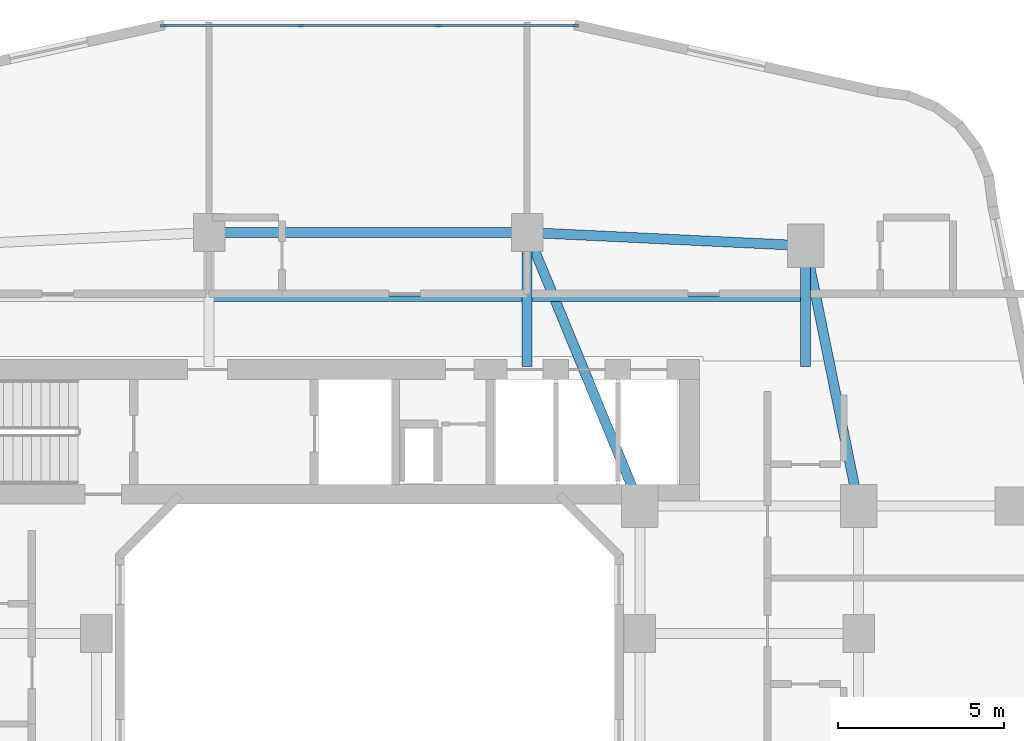
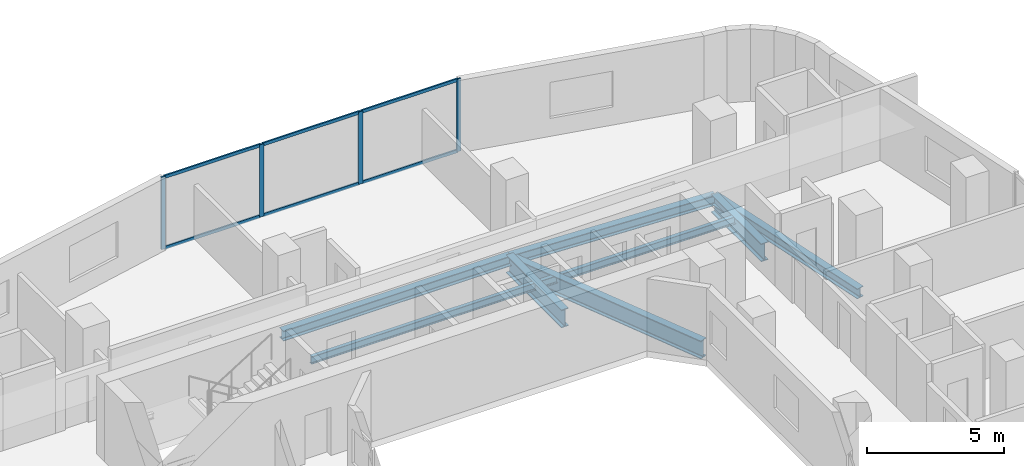
# One storey, part 7 of 27: 10 members, 8 beams, 1 element without a shape of its own.
"""IFC4 building model written with IfcOpenShell, lengths in metres."""

import ifcopenshell
import ifcopenshell.guid

model = None  # the IFC model being written
_history = None  # IfcOwnerHistory: only IFC2X3 demands one
_inside = {}  # id of a spatial element -> (the spatial element, [elements in it])
_under = {}  # id of a project, library or spatial element -> (it, [spatial elements below it])
_declared = {}  # id of a project -> (the project, [libraries it declares])
_typed = {}  # id of a type object -> (the type object, [elements of that type])
_made_of = {}  # id of a material, layer set ... -> (it, [elements and type objects made of it])


def new_model(schema):
    """Start an empty IFC model of exactly this schema.

    Asked for "IFC4X3", IfcOpenShell would pick the latest addendum, in which some entities
    have other attributes; the version numbers below select the first issue.
    IFC2X3 requires an IfcOwnerHistory on every rooted entity: one is made here for all.
    """
    global model, _history
    if schema == "IFC4X3":
        model = ifcopenshell.file(schema_version=(4, 3, 0, 0))
    else:
        model = ifcopenshell.file(schema=schema)
    _inside.clear()
    _under.clear()
    _declared.clear()
    _typed.clear()
    _made_of.clear()
    _history = None
    if model.schema == "IFC2X3":
        org = make("IfcOrganization", Name="unknown")
        user = make(
            "IfcPersonAndOrganization",
            ThePerson=make("IfcPerson", FamilyName="unknown"),
            TheOrganization=org,
        )
        app = make(
            "IfcApplication",
            ApplicationDeveloper=org,
            Version="unknown",
            ApplicationFullName="unknown",
            ApplicationIdentifier="unknown",
        )
        _history = make(
            "IfcOwnerHistory",
            OwningUser=user,
            OwningApplication=app,
            ChangeAction="ADDED",
            CreationDate=0,
        )
    return model


def make(cls, **values):
    """One entity of the class cls with the attributes given. An attribute that is None is left unset."""
    return model.create_entity(
        cls, **{name: value for name, value in values.items() if value is not None}
    )


def rooted(cls, **values):
    """An entity with a GlobalId (a new one), such as an element, a storey or a relation."""
    return make(cls, GlobalId=ifcopenshell.guid.new(), OwnerHistory=_history, **values)


def si_unit(unit_type, name, prefix=None):
    """IfcSIUnit, for example si_unit("LENGTHUNIT", "METRE", prefix="MILLI")."""
    return make("IfcSIUnit", UnitType=unit_type, Prefix=prefix, Name=name)


def derived_unit(unit_type, elements):
    """IfcDerivedUnit: a product of units, each with its exponent."""
    return make(
        "IfcDerivedUnit",
        Elements=[
            make("IfcDerivedUnitElement", Unit=unit, Exponent=power)
            for unit, power in elements
        ],
        UnitType=unit_type,
    )


def assignment(units):
    """IfcUnitAssignment: the units of a project."""
    return None if units is None else make("IfcUnitAssignment", Units=units)


def point(xyz):
    """IfcCartesianPoint."""
    return None if xyz is None else make("IfcCartesianPoint", Coordinates=xyz)


def direction(xyz):
    """IfcDirection."""
    return None if xyz is None else make("IfcDirection", DirectionRatios=xyz)


def frame(location, z_axis=None, x_axis=None):
    """IfcAxis2Placement3D, a coordinate frame: its origin and axes. An axis left out is left unset."""
    return make(
        "IfcAxis2Placement3D",
        Location=point(location),
        Axis=direction(z_axis),
        RefDirection=direction(x_axis),
    )


def frame_2d(location, x_axis=None):
    """IfcAxis2Placement2D, a coordinate frame in the plane: its origin and x axis."""
    return make(
        "IfcAxis2Placement2D", Location=point(location), RefDirection=direction(x_axis)
    )


def origin():
    """The frame at (0, 0, 0) with its axes left unset."""
    return frame((0.0, 0.0, 0.0))


def origin_2d():
    """The frame at (0, 0) in the plane with its x axis left unset."""
    return frame_2d((0.0, 0.0))


def place(relative_to, where):
    """IfcLocalPlacement: puts the frame where relative to a parent placement (None: the world)."""
    return make(
        "IfcLocalPlacement", PlacementRelTo=relative_to, RelativePlacement=where
    )


def context(
    kind, dimensions, precision=None, world=None, true_north=None, identifier=None
):
    """IfcGeometricRepresentationContext, for example the 3D "Model" context."""
    return make(
        "IfcGeometricRepresentationContext",
        ContextIdentifier=identifier,
        ContextType=kind,
        CoordinateSpaceDimension=dimensions,
        Precision=precision,
        WorldCoordinateSystem=world,
        TrueNorth=true_north,
    )


def subcontext(parent, identifier, kind, view, scale=None):
    """IfcGeometricRepresentationSubContext, for example "Body" below "Model"."""
    return make(
        "IfcGeometricRepresentationSubContext",
        ContextIdentifier=identifier,
        ContextType=kind,
        ParentContext=parent,
        TargetScale=scale,
        TargetView=view,
    )


def project(units=None, contexts=None):
    """IfcProject with its units and contexts."""
    return rooted(
        "IfcProject",
        Name="project",
        RepresentationContexts=contexts,
        UnitsInContext=assignment(units),
    )


def spatial(cls, under=None, at=None, **own):
    """A site, building, storey or space (cls), placed at a placement, below another one or the project."""
    s = rooted(cls, ObjectPlacement=at, **own)
    if under is not None:
        _under.setdefault(under.id(), (under, []))[1].append(s)
    return s


def profile(cls, at=None, kind="AREA", **sizes):
    """A parametric profile (cls). Its sizes go by their IFC names, for example OverallWidth=200.0."""
    return make(cls, ProfileType=kind, Position=at, **sizes)


def rectangle(**sizes):
    """IfcRectangleProfileDef."""
    return profile("IfcRectangleProfileDef", **sizes)


def i_section(**sizes):
    """IfcIShapeProfileDef."""
    return profile("IfcIShapeProfileDef", **sizes)


def extrude(swept, where, along, depth):
    """IfcExtrudedAreaSolid: the profile swept, set in the frame where, extruded along a direction by depth."""
    return make(
        "IfcExtrudedAreaSolid",
        SweptArea=swept,
        Position=where,
        ExtrudedDirection=direction(along),
        Depth=depth,
    )


def shape(context_of_items, identifier, shape_type, items):
    """IfcShapeRepresentation: the items that make up one representation, for example the "Body"."""
    return make(
        "IfcShapeRepresentation",
        ContextOfItems=context_of_items,
        RepresentationIdentifier=identifier,
        RepresentationType=shape_type,
        Items=items,
    )


def material(Name=None, Category=None):
    """IfcMaterial."""
    return make("IfcMaterial", Name=Name, Category=Category)


def layer(
    of_material, thickness, ventilated=None, Name=None, Category=None, Priority=None
):
    """IfcMaterialLayer: one layer of a wall or slab, of a material (None: an air gap)."""
    return make(
        "IfcMaterialLayer",
        Material=of_material,
        LayerThickness=thickness,
        IsVentilated=ventilated,
        Name=Name,
        Category=Category,
        Priority=Priority,
    )


def layer_set(layers, Name=None):
    """IfcMaterialLayerSet."""
    return make("IfcMaterialLayerSet", MaterialLayers=layers, LayerSetName=Name)


def material_profile(
    of_material, cross_section, Name=None, Category=None, Priority=None
):
    """IfcMaterialProfile: a cross section and its material."""
    return make(
        "IfcMaterialProfile",
        Name=Name,
        Material=of_material,
        Profile=cross_section,
        Priority=Priority,
        Category=Category,
    )


def profile_set(profiles, Name=None, composite=None):
    """IfcMaterialProfileSet."""
    return make(
        "IfcMaterialProfileSet",
        Name=Name,
        MaterialProfiles=profiles,
        CompositeProfile=composite,
    )


def made_of(thing, what):
    """Note that an element or type object is made of a material, layer set ...; save() writes the relation."""
    if what is not None:
        _made_of.setdefault(what.id(), (what, []))[1].append(thing)
    return thing


def type_object(cls, material=None, **own):
    """A type object (cls), such as IfcWallType, which elements share."""
    return made_of(rooted(cls, **own), material)


def element(
    cls,
    number,
    at=None,
    inside=None,
    cuts=None,
    type_object=None,
    material=None,
    context=None,
    identifier="Body",
    shape_type=None,
    held_by="IfcProductDefinitionShape",
    body=None,
    shapes=None,
    **own,
):
    """One element of the class cls, such as IfcWall. Its Tag is "e" and its number.

    at: its placement. inside: the storey or other place that contains it. cuts: it is an
    opening in that element (IfcRelVoidsElement). A single representation is given by context,
    identifier, shape_type and body (its items); several are given by shapes. held_by: the class
    of the entity that holds the representations. save() writes the other relations.
    """
    e = rooted(cls, Tag="e%d" % number, ObjectPlacement=at, **own)
    if body is not None:
        shapes = [shape(context, identifier, shape_type, body)]
    if shapes is not None:
        e.Representation = make(held_by, Representations=shapes)
    if inside is not None:
        _inside.setdefault(inside.id(), (inside, []))[1].append(e)
    if cuts is not None:
        rooted(
            "IfcRelVoidsElement", RelatingBuildingElement=cuts, RelatedOpeningElement=e
        )
    if type_object is not None:
        _typed.setdefault(type_object.id(), (type_object, []))[1].append(e)
    return made_of(e, material)


def aggregate(whole, parts):
    """IfcRelAggregates: a whole, such as a stair, and the parts it consists of."""
    return rooted("IfcRelAggregates", RelatingObject=whole, RelatedObjects=parts)


def save(model, path):
    """Write the relations noted so far, then the file.

    IfcRelAggregates (storeys below a building ...), IfcRelContainedInSpatialStructure (elements
    in a storey), IfcRelDefinesByType, IfcRelAssociatesMaterial and IfcRelDeclares: one each for
    every whole, place, type object, material and project.
    """
    for whole, parts in _under.values():
        aggregate(whole, parts)
    for where, things in _inside.values():
        rooted(
            "IfcRelContainedInSpatialStructure",
            RelatedElements=things,
            RelatingStructure=where,
        )
    for kind, things in _typed.values():
        rooted("IfcRelDefinesByType", RelatedObjects=things, RelatingType=kind)
    for what, things in _made_of.values():
        rooted("IfcRelAssociatesMaterial", RelatedObjects=things, RelatingMaterial=what)
    for by, libraries in _declared.values():
        rooted("IfcRelDeclares", RelatingContext=by, RelatedDefinitions=libraries)
    model.write(path)


model = new_model("IFC4")

# Units and contexts
model_context = context("Model", 3, precision=1e-05, world=origin(), true_north=direction((0.0, 1.0)))
body_context = subcontext(model_context, "Body", "Model", "MODEL_VIEW")
ifc_project = project(units=[si_unit("LENGTHUNIT", "METRE"), si_unit("AREAUNIT", "SQUARE_METRE"), si_unit("VOLUMEUNIT", "CUBIC_METRE"), si_unit("PLANEANGLEUNIT", "RADIAN"), si_unit("MASSUNIT", "GRAM", prefix="KILO"), derived_unit("THERMALTRANSMITTANCEUNIT", [(si_unit("POWERUNIT", "WATT"), 1), (si_unit("LENGTHUNIT", "METRE"), -2), (si_unit("THERMODYNAMICTEMPERATUREUNIT", "KELVIN"), -1)])], contexts=[model_context])

# Site, building, storey
site_placement = place(None, origin())
site = spatial("IfcSite", under=ifc_project, at=site_placement, CompositionType="ELEMENT")
building_placement = place(site_placement, origin())
building = spatial("IfcBuilding", under=site, at=building_placement, Name="Kivonza Crest Hotel", CompositionType="ELEMENT")
storey_placement = place(building_placement, frame((0.0, 0.0, 41.5)))
storey = spatial("IfcBuildingStorey", under=building, at=storey_placement, Name="L10", CompositionType="ELEMENT", Elevation=41.5)

# Beams
ifc_material_1 = material(Name="Steel S355", Category="steel")
ifc_material_profile_1 = material_profile(ifc_material_1, i_section(OverallWidth=0.300048828125, OverallDepth=0.449951171875, WebThickness=0.013916015625, FlangeThickness=0.02587890625, FilletRadius=0.027099609375, at=origin_2d()), Name="HEB 450")
ifc_profile_set_1 = profile_set([ifc_material_profile_1], Name="Steel S355")
beam_type_1 = type_object("IfcBeamType", Name="BM-HEB450", PredefinedType="SPANDREL", material=ifc_profile_set_1)
beam_1_placement = place(storey_placement, frame((35.800048828125, 32.35009765625, -0.5048828125), z_axis=(-0.199730733965, 0.979850822273, 0.0), x_axis=(-0.979850822273, -0.199730733965, 0.0)))
element("IfcBeam", 1, at=beam_1_placement, inside=storey, type_object=beam_type_1, Name="Tower T1 L10 perimeter spandrel PNE-NE", PredefinedType="SPANDREL", context=body_context, shape_type="SweptSolid", body=[
    extrude(i_section(OverallWidth=0.300048828125, OverallDepth=0.449951171875, WebThickness=0.013916015625, FlangeThickness=0.02587890625, FilletRadius=0.027099609375, at=origin_2d()), origin(), (0.0, 0.0, 1.0), 8.01123046875),
])
beam_2_placement = place(storey_placement, frame((34.199951171875, 40.199951171875, -0.5048828125), z_axis=(-0.998867283688, 0.047583080799, 0.0), x_axis=(-0.047583080799, -0.998867283688, 0.0)))
element("IfcBeam", 2, at=beam_2_placement, inside=storey, type_object=beam_type_1, Name="Tower T1 L10 perimeter spandrel NE-N2", PredefinedType="SPANDREL", context=body_context, shape_type="SweptSolid", body=[
    extrude(i_section(OverallWidth=0.300048828125, OverallDepth=0.449951171875, WebThickness=0.013916015625, FlangeThickness=0.02587890625, FilletRadius=0.027099609375, at=origin_2d()), origin(), (0.0, 0.0, 1.0), 8.409423828125),
])
beam_3_placement = place(storey_placement, frame((25.800048828125, 40.60009765625, -0.5048828125), z_axis=(-1.0, 0.0, 0.0), x_axis=(0.0, -1.0, 0.0)))
element("IfcBeam", 3, at=beam_3_placement, inside=storey, type_object=beam_type_1, Name="Tower T1 L10 perimeter spandrel N2-N1", PredefinedType="SPANDREL", context=body_context, shape_type="SweptSolid", body=[
    extrude(i_section(OverallWidth=0.300048828125, OverallDepth=0.449951171875, WebThickness=0.013916015625, FlangeThickness=0.02587890625, FilletRadius=0.027099609375, at=origin_2d()), origin(), (0.0, 0.0, 1.0), 9.60009765625),
])
ifc_material_profile_2 = material_profile(ifc_material_1, i_section(OverallWidth=0.300048828125, OverallDepth=0.800048828125, WebThickness=0.017578125, FlangeThickness=0.032958984375, FilletRadius=0.030029296875, at=origin_2d()), Name="HEB 800")
ifc_profile_set_2 = profile_set([ifc_material_profile_2], Name="Steel S355")
beam_type_2 = type_object("IfcBeamType", Name="BM-HEB800", PredefinedType="BEAM", material=ifc_profile_set_2)
beam_4_placement = place(storey_placement, frame((25.800048828125, 40.60009765625, -0.679931640625), z_axis=(0.381022260404, -0.924565864109, 0.0), x_axis=(0.924565864109, 0.381022260404, 0.0)))
element("IfcBeam", 4, at=beam_4_placement, inside=storey, type_object=beam_type_2, Name="Tower T1 L10 primary girder N1-TNE", PredefinedType="BEAM", context=body_context, shape_type="SweptSolid", body=[
    extrude(i_section(OverallWidth=0.300048828125, OverallDepth=0.800048828125, WebThickness=0.017578125, FlangeThickness=0.032958984375, FilletRadius=0.030029296875, at=origin_2d()), origin(), (0.0, 0.0, 1.0), 8.923095703125),
])
beam_5_placement = place(storey_placement, frame((25.800048828125, 40.60009765625, -0.679931640625), z_axis=(0.0, -1.0, 0.0), x_axis=(1.0, 0.0, 0.0)))
element("IfcBeam", 5, at=beam_5_placement, inside=storey, type_object=beam_type_2, Name="Tower T1 L10 radial core girder RN2", PredefinedType="BEAM", context=body_context, shape_type="SweptSolid", body=[
    extrude(i_section(OverallWidth=0.300048828125, OverallDepth=0.800048828125, WebThickness=0.017578125, FlangeThickness=0.032958984375, FilletRadius=0.030029296875, at=origin_2d()), origin(), (0.0, 0.0, 1.0), 4.050048828125),
])
beam_6_placement = place(storey_placement, frame((34.199951171875, 40.199951171875, -0.679931640625), z_axis=(0.0, -1.0, 0.0), x_axis=(1.0, 0.0, 0.0)))
element("IfcBeam", 6, at=beam_6_placement, inside=storey, type_object=beam_type_2, Name="Tower T1 L10 radial core girder RNE", PredefinedType="BEAM", context=body_context, shape_type="SweptSolid", body=[
    extrude(i_section(OverallWidth=0.300048828125, OverallDepth=0.800048828125, WebThickness=0.017578125, FlangeThickness=0.032958984375, FilletRadius=0.030029296875, at=origin_2d()), origin(), (0.0, 0.0, 1.0), 3.64990234375),
])
ifc_material_profile_3 = material_profile(ifc_material_1, i_section(OverallWidth=0.159912109375, OverallDepth=0.330078125, WebThickness=0.007568359375, FlangeThickness=0.011474609375, FilletRadius=0.01806640625, at=origin_2d()), Name="IPE 330")
ifc_profile_set_3 = profile_set([ifc_material_profile_3], Name="Steel S355")
beam_type_3 = type_object("IfcBeamType", Name="BM-IPE330", PredefinedType="JOIST", material=ifc_profile_set_3)
beam_7_placement = place(storey_placement, frame((16.280029296875, 38.60009765625, -0.445068359375), z_axis=(1.0, 0.0, 0.0), x_axis=(0.0, 1.0, 0.0)))
element("IfcBeam", 7, at=beam_7_placement, inside=storey, type_object=beam_type_3, Name="Tower T1 L10 North-Mid floor joist", PredefinedType="JOIST", context=body_context, shape_type="SweptSolid", body=[
    extrude(i_section(OverallWidth=0.159912109375, OverallDepth=0.330078125, WebThickness=0.007568359375, FlangeThickness=0.011474609375, FilletRadius=0.01806640625, at=origin_2d()), origin(), (0.0, 0.0, 1.0), 9.43994140625),
])
beam_8_placement = place(storey_placement, frame((25.8798828125, 38.60009765625, -0.445068359375), z_axis=(1.0, 0.0, 0.0), x_axis=(0.0, 1.0, 0.0)))
element("IfcBeam", 8, at=beam_8_placement, inside=storey, type_object=beam_type_3, Name="Tower T1 L10 North-East floor joist", PredefinedType="JOIST", context=body_context, shape_type="SweptSolid", body=[
    extrude(i_section(OverallWidth=0.159912109375, OverallDepth=0.330078125, WebThickness=0.007568359375, FlangeThickness=0.011474609375, FilletRadius=0.01806640625, at=origin_2d()), origin(), (0.0, 0.0, 1.0), 8.240234375),
])

# Curtain wall, members
ifc_material_2 = material(Name="Anodised bronze aluminium and low-E double glazing", Category="aluminium")
ifc_layer = layer(ifc_material_2, 0.179931640625)
ifc_layer_set = layer_set([ifc_layer], Name="Anodised bronze aluminium and low-E double glazing")
curtain_wall_type = type_object("IfcCurtainWallType", Name="CW-SYS-2", PredefinedType="NOTDEFINED", material=ifc_layer_set)
curtain_wall_placement = place(storey_placement, origin())
curtain_wall = element("IfcCurtainWall", 9, at=curtain_wall_placement, inside=storey, type_object=curtain_wall_type, Name="L10 unitised curtain wall CW-T1-L10-26", PredefinedType="NOTDEFINED")
ifc_material_3 = material(Name="Anodised bronze aluminium", Category="aluminium")
ifc_material_profile_4 = material_profile(ifc_material_3, rectangle(XDim=0.06494140625, YDim=0.179931640625, at=origin_2d()), Name="CW-M 65x180")
ifc_profile_set_4 = profile_set([ifc_material_profile_4], Name="Anodised bronze aluminium")
member_type_1 = type_object("IfcMemberType", Name="CW-MUL-65x180", PredefinedType="MULLION", material=ifc_profile_set_4)
member_1_placement = place(storey_placement, frame((27.255615234375, 46.840087890625, 0.0), z_axis=(0.0, 0.0, 1.0), x_axis=(0.0, -1.0, 0.0)))
member_1 = element("IfcMember", 10, at=member_1_placement, type_object=member_type_1, Name="CW-2 mullion 1", PredefinedType="MULLION", context=body_context, shape_type="SweptSolid", body=[
    extrude(rectangle(XDim=0.06494140625, YDim=0.179931640625, at=origin_2d()), origin(), (0.0, 0.0, 1.0), 3.219970703125),
])
member_2_placement = place(storey_placement, frame((23.12255859375, 46.840087890625, 0.0), z_axis=(0.0, 0.0, 1.0), x_axis=(0.0, -1.0, 0.0)))
member_2 = element("IfcMember", 11, at=member_2_placement, type_object=member_type_1, Name="CW-2 mullion 2", PredefinedType="MULLION", context=body_context, shape_type="SweptSolid", body=[
    extrude(rectangle(XDim=0.06494140625, YDim=0.179931640625, at=origin_2d()), origin(), (0.0, 0.0, 1.0), 3.219970703125),
])
member_3_placement = place(storey_placement, frame((18.957275390625, 46.840087890625, 0.0), z_axis=(0.0, 0.0, 1.0), x_axis=(0.0, -1.0, 0.0)))
member_3 = element("IfcMember", 12, at=member_3_placement, type_object=member_type_1, Name="CW-2 mullion 3", PredefinedType="MULLION", context=body_context, shape_type="SweptSolid", body=[
    extrude(rectangle(XDim=0.06494140625, YDim=0.179931640625, at=origin_2d()), origin(), (0.0, 0.0, 1.0), 3.219970703125),
])
member_4_placement = place(storey_placement, frame((14.824462890625, 46.840087890625, 0.0), z_axis=(0.0, 0.0, 1.0), x_axis=(0.0, -1.0, 0.0)))
member_4 = element("IfcMember", 13, at=member_4_placement, type_object=member_type_1, Name="CW-2 mullion 4", PredefinedType="MULLION", context=body_context, shape_type="SweptSolid", body=[
    extrude(rectangle(XDim=0.06494140625, YDim=0.179931640625, at=origin_2d()), origin(), (0.0, 0.0, 1.0), 3.219970703125),
])
ifc_material_profile_5 = material_profile(ifc_material_3, rectangle(XDim=0.06494140625, YDim=0.139892578125, at=origin_2d()), Name="CW-T 65x140")
ifc_profile_set_5 = profile_set([ifc_material_profile_5], Name="Anodised bronze aluminium")
member_type_2 = type_object("IfcMemberType", Name="CW-TRN-65x140", PredefinedType="USERDEFINED", material=ifc_profile_set_5)
member_5_placement = place(storey_placement, frame((27.222900390625, 46.840087890625, 0.032470703125), z_axis=(-1.0, 0.0, 0.0), x_axis=(0.0, -1.0, 0.0)))
member_5 = element("IfcMember", 14, at=member_5_placement, type_object=member_type_2, Name="CW-2 transom 1.1", ObjectType="TRANSOM", PredefinedType="USERDEFINED", context=body_context, shape_type="SweptSolid", body=[
    extrude(rectangle(XDim=0.06494140625, YDim=0.139892578125, at=origin_2d()), origin(), (0.0, 0.0, 1.0), 4.067626953125),
])
member_6_placement = place(storey_placement, frame((27.222900390625, 46.840087890625, 3.1875), z_axis=(-1.0, 0.0, 0.0), x_axis=(0.0, -1.0, 0.0)))
member_6 = element("IfcMember", 15, at=member_6_placement, type_object=member_type_2, Name="CW-2 transom 1.2", ObjectType="TRANSOM", PredefinedType="USERDEFINED", context=body_context, shape_type="SweptSolid", body=[
    extrude(rectangle(XDim=0.06494140625, YDim=0.139892578125, at=origin_2d()), origin(), (0.0, 0.0, 1.0), 4.067626953125),
])
member_7_placement = place(storey_placement, frame((23.090087890625, 46.840087890625, 0.032470703125), z_axis=(-1.0, 0.0, 0.0), x_axis=(0.0, -1.0, 0.0)))
member_7 = element("IfcMember", 16, at=member_7_placement, type_object=member_type_2, Name="CW-2 transom 2.1", ObjectType="TRANSOM", PredefinedType="USERDEFINED", context=body_context, shape_type="SweptSolid", body=[
    extrude(rectangle(XDim=0.06494140625, YDim=0.139892578125, at=origin_2d()), origin(), (0.0, 0.0, 1.0), 4.100341796875),
])
member_8_placement = place(storey_placement, frame((23.090087890625, 46.840087890625, 3.1875), z_axis=(-1.0, 0.0, 0.0), x_axis=(0.0, -1.0, 0.0)))
member_8 = element("IfcMember", 17, at=member_8_placement, type_object=member_type_2, Name="CW-2 transom 2.2", ObjectType="TRANSOM", PredefinedType="USERDEFINED", context=body_context, shape_type="SweptSolid", body=[
    extrude(rectangle(XDim=0.06494140625, YDim=0.139892578125, at=origin_2d()), origin(), (0.0, 0.0, 1.0), 4.100341796875),
])
member_9_placement = place(storey_placement, frame((18.9248046875, 46.840087890625, 0.032470703125), z_axis=(-1.0, 0.0, 0.0), x_axis=(0.0, -1.0, 0.0)))
member_9 = element("IfcMember", 18, at=member_9_placement, type_object=member_type_2, Name="CW-2 transom 3.1", ObjectType="TRANSOM", PredefinedType="USERDEFINED", context=body_context, shape_type="SweptSolid", body=[
    extrude(rectangle(XDim=0.06494140625, YDim=0.139892578125, at=origin_2d()), origin(), (0.0, 0.0, 1.0), 4.06787109375),
])
member_10_placement = place(storey_placement, frame((18.9248046875, 46.840087890625, 3.1875), z_axis=(-1.0, 0.0, 0.0), x_axis=(0.0, -1.0, 0.0)))
member_10 = element("IfcMember", 19, at=member_10_placement, type_object=member_type_2, Name="CW-2 transom 3.2", ObjectType="TRANSOM", PredefinedType="USERDEFINED", context=body_context, shape_type="SweptSolid", body=[
    extrude(rectangle(XDim=0.06494140625, YDim=0.139892578125, at=origin_2d()), origin(), (0.0, 0.0, 1.0), 4.06787109375),
])
aggregate(curtain_wall, [member_1, member_2, member_3, member_4, member_5, member_6, member_7, member_8, member_9, member_10])

save(model, "model.ifc")
